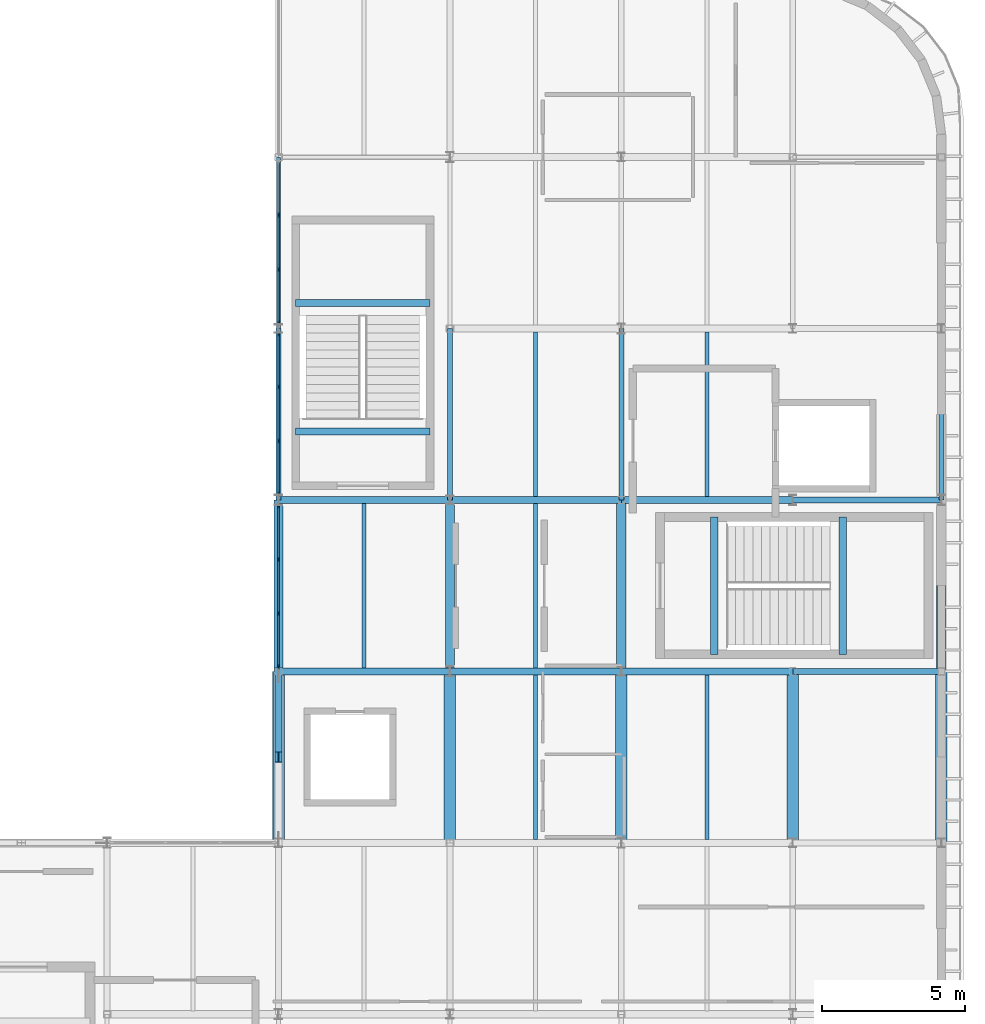
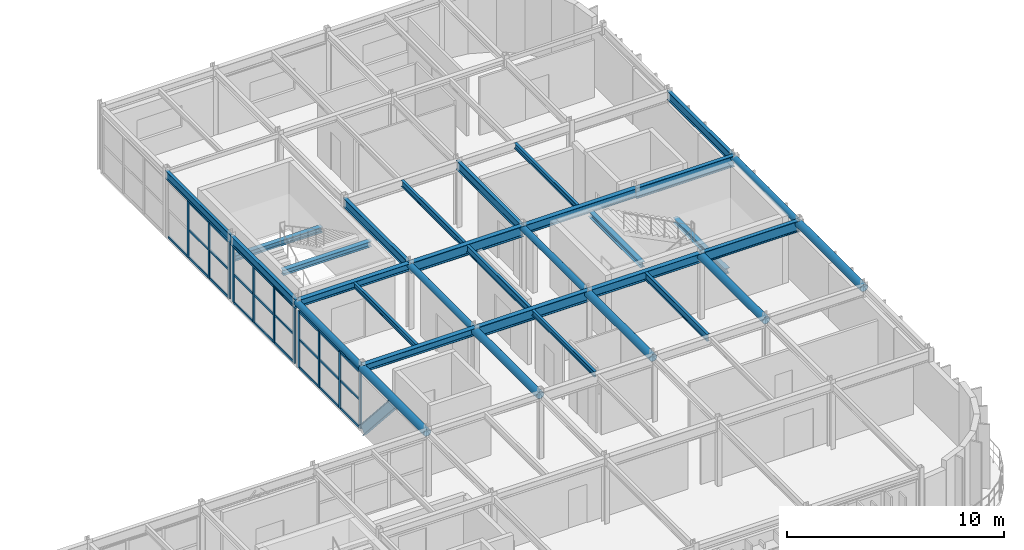
# One storey, part 41 of 63: 37 members, 32 beams, 3 elements without a shape of their own.
"""IFC4 building model written with IfcOpenShell, lengths in metres."""

from ifc_helpers import new_model, si_unit, direction, frame, origin, origin_2d, place, context, subcontext, project, spatial, rectangle, hollow_circle, i_section, extrude, material, material_profile, profile_set, type_object, element, aggregate, save


model = new_model("IFC4")

# Units and contexts
model_context = context("Model", 3, precision=1e-05, world=origin(), true_north=direction((0.0, 1.0)))
body_context = subcontext(model_context, "Body", "Model", "MODEL_VIEW")
ifc_project = project(units=[si_unit("LENGTHUNIT", "METRE"), si_unit("AREAUNIT", "SQUARE_METRE"), si_unit("VOLUMEUNIT", "CUBIC_METRE"), si_unit("PLANEANGLEUNIT", "RADIAN"), si_unit("MASSUNIT", "GRAM", prefix="KILO")], contexts=[model_context])

# Site, building, storey
site_placement = place(None, origin())
site = spatial("IfcSite", under=ifc_project, at=site_placement, CompositionType="ELEMENT")
building_placement = place(site_placement, origin())
building = spatial("IfcBuilding", under=site, at=building_placement, Name="Varnakota Square Police Headquarters", CompositionType="ELEMENT")
storey_placement = place(building_placement, frame((0.0, 0.0, 22.199951171875)))
storey = spatial("IfcBuildingStorey", under=building, at=storey_placement, Name="L05", CompositionType="ELEMENT", Elevation=22.199951171875)

# Beams
ifc_material_1 = material(Name="Steel IS 2062 Grade 350", Category="steel")
ifc_material_profile_1 = material_profile(ifc_material_1, hollow_circle(Radius=0.161865234375, WallThickness=0.0126953125, at=origin_2d()), Name="CHS 323.9x12.7")
ifc_profile_set_1 = profile_set([ifc_material_profile_1], Name="Steel IS 2062 Grade 350")
beam_type_1 = type_object("IfcBeamType", Name="BM-ARC-CHS324", PredefinedType="BEAM", material=ifc_profile_set_1)
for number, where, z_axis, x_axis, name in (
    (1, (138.0, 21.0, 3.528076171875), (0.0, 1.0, 0.0), (-1.0, 0.0, 0.0), "BMG-L05-3218"),
    (2, (144.0, 21.0, 3.528076171875), (0.0, 1.0, 0.0), (-1.0, 0.0, 0.0), "BMG-L05-3225"),
    (3, (150.0, 21.0, 3.528076171875), (0.0, 1.0, 0.0), (-1.0, 0.0, 0.0), "BMG-L05-3232"),
    (4, (161.199951171875, 21.0, 3.528076171875), (0.0, 1.0, 0.0), (-1.0, 0.0, 0.0), "BMG-L05-3243"),
):
    element("IfcBeam", number, at=place(storey_placement, frame(where, z_axis=z_axis, x_axis=x_axis)), inside=storey, type_object=beam_type_1, Name=name, PredefinedType="BEAM", context=body_context, shape_type="SweptSolid", body=[
        extrude(hollow_circle(Radius=0.161865234375, WallThickness=0.0126953125, at=origin_2d()), origin(), (0.0, 0.0, 1.0), 6.0),
    ])
ifc_material_profile_2 = material_profile(ifc_material_1, hollow_circle(Radius=0.203125, WallThickness=0.01611328125, at=origin_2d()), Name="CHS 406.4x16.0")
ifc_profile_set_2 = profile_set([ifc_material_profile_2], Name="Steel IS 2062 Grade 350")
beam_type_2 = type_object("IfcBeamType", Name="BM-ARC-CHS406", PredefinedType="BEAM", material=ifc_profile_set_2)
for number, where, z_axis, x_axis, name in (
    (5, (138.0, 15.0, 3.48681640625), (0.0, 1.0, 0.0), (-1.0, 0.0, 0.0), "BMG-L05-3217"),
    (6, (144.0, 15.0, 3.48681640625), (0.0, 1.0, 0.0), (-1.0, 0.0, 0.0), "BMG-L05-3224"),
    (7, (150.0, 15.0, 3.48681640625), (0.0, 1.0, 0.0), (-1.0, 0.0, 0.0), "BMG-L05-3231"),
    (8, (156.0, 15.0, 3.48681640625), (0.0, 1.0, 0.0), (-1.0, 0.0, 0.0), "BMG-L05-3238"),
    (9, (161.199951171875, 15.0, 3.48681640625), (0.0, 1.0, 0.0), (-1.0, 0.0, 0.0), "BMG-L05-3242"),
):
    element("IfcBeam", number, at=place(storey_placement, frame(where, z_axis=z_axis, x_axis=x_axis)), inside=storey, type_object=beam_type_2, Name=name, PredefinedType="BEAM", context=body_context, shape_type="SweptSolid", body=[
        extrude(hollow_circle(Radius=0.203125, WallThickness=0.01611328125, at=origin_2d()), origin(), (0.0, 0.0, 1.0), 6.0),
    ])
ifc_material_profile_3 = material_profile(ifc_material_1, i_section(OverallWidth=0.25, OverallDepth=0.300048828125, WebThickness=0.009521484375, FlangeThickness=0.010498046875, FilletRadius=0.011962890625, at=origin_2d()), Name="ISHB 300")
ifc_profile_set_3 = profile_set([ifc_material_profile_3], Name="Steel IS 2062 Grade 350")
beam_type_3 = type_object("IfcBeamType", Name="BM-ISHB300", PredefinedType="BEAM", material=ifc_profile_set_3)
for number, where, z_axis, x_axis, name in (
    (10, (157.75048828125, 21.60009765625, 1.634033203125), (0.0, 1.0, 0.0), (-1.0, 0.0, 0.0), "Stair landing support beam BM-LND-0027"),
    (11, (153.25, 21.60009765625, 3.570068359375), (0.0, 1.0, 0.0), (-1.0, 0.0, 0.0), "Stair landing support beam BM-LND-0028"),
):
    element("IfcBeam", number, at=place(storey_placement, frame(where, z_axis=z_axis, x_axis=x_axis)), inside=storey, type_object=beam_type_3, Name=name, PredefinedType="BEAM", context=body_context, shape_type="SweptSolid", body=[
        extrude(i_section(OverallWidth=0.25, OverallDepth=0.300048828125, WebThickness=0.009521484375, FlangeThickness=0.010498046875, FilletRadius=0.011962890625, at=origin_2d()), origin(), (0.0, 0.0, 1.0), 4.7998046875),
    ])
for number, where, z_axis, x_axis, name in (
    (12, (138.60009765625, 33.900634765625, 1.637939453125), (1.0, 0.0, 0.0), (0.0, 1.0, 0.0), "Stair landing support beam BM-LND-0042"),
    (13, (138.60009765625, 29.400146484375, 3.570068359375), (1.0, 0.0, 0.0), (0.0, 1.0, 0.0), "Stair landing support beam BM-LND-0043"),
):
    element("IfcBeam", number, at=place(storey_placement, frame(where, z_axis=z_axis, x_axis=x_axis)), inside=storey, type_object=beam_type_3, Name=name, PredefinedType="BEAM", context=body_context, shape_type="SweptSolid", body=[
        extrude(i_section(OverallWidth=0.25, OverallDepth=0.300048828125, WebThickness=0.009521484375, FlangeThickness=0.010498046875, FilletRadius=0.011962890625, at=origin_2d()), origin(), (0.0, 0.0, 1.0), 4.699951171875),
    ])
ifc_material_profile_4 = material_profile(ifc_material_1, i_section(OverallWidth=0.25, OverallDepth=0.39990234375, WebThickness=0.010498046875, FlangeThickness=0.0126953125, FilletRadius=0.013916015625, at=origin_2d()), Name="ISHB 400")
ifc_profile_set_4 = profile_set([ifc_material_profile_4], Name="Steel IS 2062 Grade 350")
beam_type_4 = type_object("IfcBeamType", Name="BM-ISHB400", PredefinedType="BEAM", material=ifc_profile_set_4)
for number, where, z_axis, x_axis, name in (
    (14, (138.0, 21.0, 3.489990234375), (1.0, 0.0, 0.0), (0.0, 1.0, 0.0), "BMG-L05-3103"),
    (15, (138.0, 27.0, 3.489990234375), (1.0, 0.0, 0.0), (0.0, 1.0, 0.0), "BMG-L05-3113"),
):
    element("IfcBeam", number, at=place(storey_placement, frame(where, z_axis=z_axis, x_axis=x_axis)), inside=storey, type_object=beam_type_4, Name=name, PredefinedType="BEAM", context=body_context, shape_type="SweptSolid", body=[
        extrude(i_section(OverallWidth=0.25, OverallDepth=0.39990234375, WebThickness=0.010498046875, FlangeThickness=0.0126953125, FilletRadius=0.013916015625, at=origin_2d()), origin(), (0.0, 0.0, 1.0), 6.0),
    ])
ifc_material_profile_5 = material_profile(ifc_material_1, i_section(OverallWidth=0.139892578125, OverallDepth=0.300048828125, WebThickness=0.0078125, FlangeThickness=0.01318359375, FilletRadius=0.013916015625, at=origin_2d()), Name="ISMB 300")
ifc_profile_set_5 = profile_set([ifc_material_profile_5], Name="Steel IS 2062 Grade 350")
beam_type_5 = type_object("IfcBeamType", Name="BM-ISMB300", PredefinedType="JOIST", material=ifc_profile_set_5)
for number, where, z_axis, x_axis, name in (
    (16, (141.0, 21.123046875, 3.5400390625), (0.0, 1.0, 0.0), (-1.0, 0.0, 0.0), "BMG-L05-3284"),
    (17, (147.0, 15.123046875, 3.5400390625), (0.0, 1.0, 0.0), (-1.0, 0.0, 0.0), "BMG-L05-3287"),
    (18, (153.0, 27.123046875, 3.5400390625), (0.0, 1.0, 0.0), (-1.0, 0.0, 0.0), "BMG-L05-3294"),
):
    element("IfcBeam", number, at=place(storey_placement, frame(where, z_axis=z_axis, x_axis=x_axis)), inside=storey, type_object=beam_type_5, Name=name, PredefinedType="JOIST", context=body_context, shape_type="SweptSolid", body=[
        extrude(i_section(OverallWidth=0.139892578125, OverallDepth=0.300048828125, WebThickness=0.0078125, FlangeThickness=0.01318359375, FilletRadius=0.013916015625, at=origin_2d()), origin(), (0.0, 0.0, 1.0), 5.75390625),
    ])
ifc_material_profile_6 = material_profile(ifc_material_1, i_section(OverallWidth=0.139892578125, OverallDepth=0.35009765625, WebThickness=0.008056640625, FlangeThickness=0.01416015625, FilletRadius=0.013916015625, at=origin_2d()), Name="ISMB 350")
ifc_profile_set_6 = profile_set([ifc_material_profile_6], Name="Steel IS 2062 Grade 350")
beam_type_6 = type_object("IfcBeamType", Name="BM-ISMB350", PredefinedType="JOIST", material=ifc_profile_set_6)
beam_1_placement = place(storey_placement, frame((147.0, 27.123046875, 3.51513671875), z_axis=(0.0, 1.0, 0.0), x_axis=(-1.0, 0.0, 0.0)))
element("IfcBeam", 19, at=beam_1_placement, inside=storey, type_object=beam_type_6, Name="BMG-L05-3289", PredefinedType="JOIST", context=body_context, shape_type="SweptSolid", body=[
    extrude(i_section(OverallWidth=0.139892578125, OverallDepth=0.35009765625, WebThickness=0.008056640625, FlangeThickness=0.01416015625, FilletRadius=0.013916015625, at=origin_2d()), origin(), (0.0, 0.0, 1.0), 5.75390625),
])
ifc_material_profile_7 = material_profile(ifc_material_1, i_section(OverallWidth=0.139892578125, OverallDepth=0.39990234375, WebThickness=0.0087890625, FlangeThickness=0.01611328125, FilletRadius=0.013916015625, at=origin_2d()), Name="ISMB 400")
ifc_profile_set_7 = profile_set([ifc_material_profile_7], Name="Steel IS 2062 Grade 350")
beam_type_7 = type_object("IfcBeamType", Name="BM-ISMB400", PredefinedType="JOIST", material=ifc_profile_set_7)
for number, where, z_axis, x_axis, name in (
    (20, (147.0, 21.123046875, 3.489990234375), (0.0, 1.0, 0.0), (-1.0, 0.0, 0.0), "BMG-L05-3288"),
    (21, (153.0, 15.123046875, 3.489990234375), (0.0, 1.0, 0.0), (-1.0, 0.0, 0.0), "BMG-L05-3293"),
):
    element("IfcBeam", number, at=place(storey_placement, frame(where, z_axis=z_axis, x_axis=x_axis)), inside=storey, type_object=beam_type_7, Name=name, PredefinedType="JOIST", context=body_context, shape_type="SweptSolid", body=[
        extrude(i_section(OverallWidth=0.139892578125, OverallDepth=0.39990234375, WebThickness=0.0087890625, FlangeThickness=0.01611328125, FilletRadius=0.013916015625, at=origin_2d()), origin(), (0.0, 0.0, 1.0), 5.75390625),
    ])
ifc_material_profile_8 = material_profile(ifc_material_1, i_section(OverallWidth=0.14990234375, OverallDepth=0.449951171875, WebThickness=0.009521484375, FlangeThickness=0.017333984375, FilletRadius=0.014892578125, at=origin_2d()), Name="ISMB 450")
ifc_profile_set_8 = profile_set([ifc_material_profile_8], Name="Steel IS 2062 Grade 350")
beam_type_8 = type_object("IfcBeamType", Name="BM-ISMB450", PredefinedType="BEAM", material=ifc_profile_set_8)
beam_2_placement = place(storey_placement, frame((138.0, 33.0, 3.465087890625), z_axis=(0.0, 1.0, 0.0), x_axis=(-1.0, 0.0, 0.0)))
element("IfcBeam", 22, at=beam_2_placement, inside=storey, type_object=beam_type_8, Name="BMG-L05-3220", PredefinedType="BEAM", context=body_context, shape_type="SweptSolid", body=[
    extrude(i_section(OverallWidth=0.14990234375, OverallDepth=0.449951171875, WebThickness=0.009521484375, FlangeThickness=0.017333984375, FilletRadius=0.014892578125, at=origin_2d()), origin(), (0.0, 0.0, 1.0), 6.0),
])
ifc_material_profile_9 = material_profile(ifc_material_1, i_section(OverallWidth=0.179931640625, OverallDepth=0.5, WebThickness=0.01025390625, FlangeThickness=0.01708984375, FilletRadius=0.01708984375, at=origin_2d()), Name="ISMB 500")
ifc_profile_set_9 = profile_set([ifc_material_profile_9], Name="Steel IS 2062 Grade 350")
beam_type_9 = type_object("IfcBeamType", Name="BM-ISMB500", PredefinedType="BEAM", material=ifc_profile_set_9)
for number, where, z_axis, x_axis, name in (
    (23, (138.0, 27.0, 3.43994140625), (0.0, 1.0, 0.0), (-1.0, 0.0, 0.0), "BMG-L05-3219"),
    (24, (144.0, 27.0, 3.43994140625), (0.0, 1.0, 0.0), (-1.0, 0.0, 0.0), "BMG-L05-3226"),
    (25, (150.0, 27.0, 3.43994140625), (0.0, 1.0, 0.0), (-1.0, 0.0, 0.0), "BMG-L05-3233"),
    (26, (161.199951171875, 27.0, 3.43994140625), (0.0, 1.0, 0.0), (-1.0, 0.0, 0.0), "BMG-L05-3244"),
):
    element("IfcBeam", number, at=place(storey_placement, frame(where, z_axis=z_axis, x_axis=x_axis)), inside=storey, type_object=beam_type_9, Name=name, PredefinedType="BEAM", context=body_context, shape_type="SweptSolid", body=[
        extrude(i_section(OverallWidth=0.179931640625, OverallDepth=0.5, WebThickness=0.01025390625, FlangeThickness=0.01708984375, FilletRadius=0.01708984375, at=origin_2d()), origin(), (0.0, 0.0, 1.0), 6.0),
    ])
ifc_material_profile_10 = material_profile(ifc_material_1, i_section(OverallWidth=0.2099609375, OverallDepth=0.60009765625, WebThickness=0.011962890625, FlangeThickness=0.020751953125, FilletRadius=0.02001953125, at=origin_2d()), Name="ISMB 600")
ifc_profile_set_10 = profile_set([ifc_material_profile_10], Name="Steel IS 2062 Grade 350")
beam_type_10 = type_object("IfcBeamType", Name="BM-ISMB600", PredefinedType="BEAM", material=ifc_profile_set_10)
for number, where, z_axis, x_axis, name in (
    (27, (156.0, 21.0, 3.39013671875), (1.0, 0.0, 0.0), (0.0, 1.0, 0.0), "BMG-L05-3106"),
    (28, (156.0, 27.0, 3.39013671875), (1.0, 0.0, 0.0), (0.0, 1.0, 0.0), "BMG-L05-3116"),
):
    element("IfcBeam", number, at=place(storey_placement, frame(where, z_axis=z_axis, x_axis=x_axis)), inside=storey, type_object=beam_type_10, Name=name, PredefinedType="BEAM", context=body_context, shape_type="SweptSolid", body=[
        extrude(i_section(OverallWidth=0.2099609375, OverallDepth=0.60009765625, WebThickness=0.011962890625, FlangeThickness=0.020751953125, FilletRadius=0.02001953125, at=origin_2d()), origin(), (0.0, 0.0, 1.0), 5.199951171875),
    ])
ifc_material_profile_11 = material_profile(ifc_material_1, i_section(OverallWidth=0.25, OverallDepth=0.5, WebThickness=0.010009765625, FlangeThickness=0.0146484375, FilletRadius=0.014892578125, at=origin_2d()), Name="ISWB 500")
ifc_profile_set_11 = profile_set([ifc_material_profile_11], Name="Steel IS 2062 Grade 350")
beam_type_11 = type_object("IfcBeamType", Name="BM-ISWB500", PredefinedType="BEAM", material=ifc_profile_set_11)
for number, where, z_axis, x_axis, name in (
    (29, (150.0, 21.0, 3.43994140625), (1.0, 0.0, 0.0), (0.0, 1.0, 0.0), "BMG-L05-3105"),
    (30, (150.0, 27.0, 3.43994140625), (1.0, 0.0, 0.0), (0.0, 1.0, 0.0), "BMG-L05-3115"),
):
    element("IfcBeam", number, at=place(storey_placement, frame(where, z_axis=z_axis, x_axis=x_axis)), inside=storey, type_object=beam_type_11, Name=name, PredefinedType="BEAM", context=body_context, shape_type="SweptSolid", body=[
        extrude(i_section(OverallWidth=0.25, OverallDepth=0.5, WebThickness=0.010009765625, FlangeThickness=0.0146484375, FilletRadius=0.014892578125, at=origin_2d()), origin(), (0.0, 0.0, 1.0), 6.0),
    ])
ifc_material_profile_12 = material_profile(ifc_material_1, i_section(OverallWidth=0.25, OverallDepth=0.60009765625, WebThickness=0.01171875, FlangeThickness=0.023681640625, FilletRadius=0.01708984375, at=origin_2d()), Name="ISWB 600")
ifc_profile_set_12 = profile_set([ifc_material_profile_12], Name="Steel IS 2062 Grade 350")
beam_type_12 = type_object("IfcBeamType", Name="BM-ISWB600", PredefinedType="BEAM", material=ifc_profile_set_12)
for number, where, z_axis, x_axis, name in (
    (31, (144.0, 21.0, 3.39013671875), (1.0, 0.0, 0.0), (0.0, 1.0, 0.0), "BMG-L05-3104"),
    (32, (144.0, 27.0, 3.39013671875), (1.0, 0.0, 0.0), (0.0, 1.0, 0.0), "BMG-L05-3114"),
):
    element("IfcBeam", number, at=place(storey_placement, frame(where, z_axis=z_axis, x_axis=x_axis)), inside=storey, type_object=beam_type_12, Name=name, PredefinedType="BEAM", context=body_context, shape_type="SweptSolid", body=[
        extrude(i_section(OverallWidth=0.25, OverallDepth=0.60009765625, WebThickness=0.01171875, FlangeThickness=0.023681640625, FilletRadius=0.01708984375, at=origin_2d()), origin(), (0.0, 0.0, 1.0), 6.0),
    ])

# Curtain wall, members
ifc_material_2 = material(Name="Anodised Aluminium Framing", Category="aluminium")
curtain_wall_type = type_object("IfcCurtainWallType", Name="CW-SYS-E", PredefinedType="NOTDEFINED", material=ifc_material_2)
curtain_wall_1_placement = place(storey_placement, origin())
curtain_wall_1 = element("IfcCurtainWall", 33, at=curtain_wall_1_placement, inside=storey, type_object=curtain_wall_type, Name="Unitised curtain wall CWG-L05-106", PredefinedType="NOTDEFINED")
ifc_material_3 = material(Name="Anodised Aluminium 6063-T6", Category="aluminium")
ifc_material_profile_13 = material_profile(ifc_material_3, rectangle(XDim=0.06494140625, YDim=0.159912109375, at=origin_2d()), Name="ALU MULLION 65x160")
ifc_profile_set_13 = profile_set([ifc_material_profile_13], Name="Anodised Aluminium 6063-T6")
member_type_1 = type_object("IfcMemberType", Name="CWM-150", PredefinedType="MULLION", material=ifc_profile_set_13)
member_1_placement = place(storey_placement, frame((138.0, 21.16259765625, 0.0), z_axis=(0.0, 0.0, 1.0), x_axis=(-1.0, 0.0, 0.0)))
member_1 = element("IfcMember", 34, at=member_1_placement, type_object=member_type_1, Name="CWG-L05-106 mullion 1", PredefinedType="MULLION", context=body_context, shape_type="SweptSolid", body=[
    extrude(rectangle(XDim=0.06494140625, YDim=0.159912109375, at=origin_2d()), origin(), (0.0, 0.0, 1.0), 3.179931640625),
])
member_2_placement = place(storey_placement, frame((138.0, 23.026611328125, 0.0), z_axis=(0.0, 0.0, 1.0), x_axis=(-1.0, 0.0, 0.0)))
member_2 = element("IfcMember", 35, at=member_2_placement, type_object=member_type_1, Name="CWG-L05-106 mullion 2", PredefinedType="MULLION", context=body_context, shape_type="SweptSolid", body=[
    extrude(rectangle(XDim=0.06494140625, YDim=0.159912109375, at=origin_2d()), origin(), (0.0, 0.0, 1.0), 3.179931640625),
])
member_3_placement = place(storey_placement, frame((138.0, 24.92333984375, 0.0), z_axis=(0.0, 0.0, 1.0), x_axis=(-1.0, 0.0, 0.0)))
member_3 = element("IfcMember", 36, at=member_3_placement, type_object=member_type_1, Name="CWG-L05-106 mullion 3", PredefinedType="MULLION", context=body_context, shape_type="SweptSolid", body=[
    extrude(rectangle(XDim=0.06494140625, YDim=0.159912109375, at=origin_2d()), origin(), (0.0, 0.0, 1.0), 3.179931640625),
])
member_4_placement = place(storey_placement, frame((138.0, 26.78759765625, 0.0), z_axis=(0.0, 0.0, 1.0), x_axis=(-1.0, 0.0, 0.0)))
member_4 = element("IfcMember", 37, at=member_4_placement, type_object=member_type_1, Name="CWG-L05-106 mullion 4", PredefinedType="MULLION", context=body_context, shape_type="SweptSolid", body=[
    extrude(rectangle(XDim=0.06494140625, YDim=0.159912109375, at=origin_2d()), origin(), (0.0, 0.0, 1.0), 3.179931640625),
])

curtain_wall_2_placement = place(storey_placement, origin())
curtain_wall_2 = element("IfcCurtainWall", 38, at=curtain_wall_2_placement, inside=storey, type_object=curtain_wall_type, Name="Unitised curtain wall CWG-L05-107", PredefinedType="NOTDEFINED")
member_5_placement = place(storey_placement, frame((138.0, 27.21240234375, 0.0), z_axis=(0.0, 0.0, 1.0), x_axis=(-1.0, 0.0, 0.0)))
member_5 = element("IfcMember", 39, at=member_5_placement, type_object=member_type_1, Name="CWG-L05-107 mullion 1", PredefinedType="MULLION", context=body_context, shape_type="SweptSolid", body=[
    extrude(rectangle(XDim=0.06494140625, YDim=0.159912109375, at=origin_2d()), origin(), (0.0, 0.0, 1.0), 3.179931640625),
])
member_6_placement = place(storey_placement, frame((138.0, 29.068359375, 0.0), z_axis=(0.0, 0.0, 1.0), x_axis=(-1.0, 0.0, 0.0)))
member_6 = element("IfcMember", 40, at=member_6_placement, type_object=member_type_1, Name="CWG-L05-107 mullion 2", PredefinedType="MULLION", context=body_context, shape_type="SweptSolid", body=[
    extrude(rectangle(XDim=0.06494140625, YDim=0.159912109375, at=origin_2d()), origin(), (0.0, 0.0, 1.0), 3.179931640625),
])
member_7_placement = place(storey_placement, frame((138.0, 30.956787109375, 0.0), z_axis=(0.0, 0.0, 1.0), x_axis=(-1.0, 0.0, 0.0)))
member_7 = element("IfcMember", 41, at=member_7_placement, type_object=member_type_1, Name="CWG-L05-107 mullion 3", PredefinedType="MULLION", context=body_context, shape_type="SweptSolid", body=[
    extrude(rectangle(XDim=0.06494140625, YDim=0.159912109375, at=origin_2d()), origin(), (0.0, 0.0, 1.0), 3.179931640625),
])
member_8_placement = place(storey_placement, frame((138.0, 32.8125, 0.0), z_axis=(0.0, 0.0, 1.0), x_axis=(-1.0, 0.0, 0.0)))
member_8 = element("IfcMember", 42, at=member_8_placement, type_object=member_type_1, Name="CWG-L05-107 mullion 4", PredefinedType="MULLION", context=body_context, shape_type="SweptSolid", body=[
    extrude(rectangle(XDim=0.06494140625, YDim=0.159912109375, at=origin_2d()), origin(), (0.0, 0.0, 1.0), 3.179931640625),
])

curtain_wall_3_placement = place(storey_placement, origin())
curtain_wall_3 = element("IfcCurtainWall", 43, at=curtain_wall_3_placement, inside=storey, type_object=curtain_wall_type, Name="Unitised curtain wall CWG-L05-108", PredefinedType="NOTDEFINED")
member_9_placement = place(storey_placement, frame((138.0, 33.1875, 0.0), z_axis=(0.0, 0.0, 1.0), x_axis=(-1.0, 0.0, 0.0)))
member_9 = element("IfcMember", 44, at=member_9_placement, type_object=member_type_1, Name="CWG-L05-108 mullion 1", PredefinedType="MULLION", context=body_context, shape_type="SweptSolid", body=[
    extrude(rectangle(XDim=0.06494140625, YDim=0.159912109375, at=origin_2d()), origin(), (0.0, 0.0, 1.0), 3.179931640625),
])
member_10_placement = place(storey_placement, frame((138.0, 35.06005859375, 0.0), z_axis=(0.0, 0.0, 1.0), x_axis=(-1.0, 0.0, 0.0)))
member_10 = element("IfcMember", 45, at=member_10_placement, type_object=member_type_1, Name="CWG-L05-108 mullion 2", PredefinedType="MULLION", context=body_context, shape_type="SweptSolid", body=[
    extrude(rectangle(XDim=0.06494140625, YDim=0.159912109375, at=origin_2d()), origin(), (0.0, 0.0, 1.0), 3.179931640625),
])
member_11_placement = place(storey_placement, frame((138.0, 36.965087890625, 0.0), z_axis=(0.0, 0.0, 1.0), x_axis=(-1.0, 0.0, 0.0)))
member_11 = element("IfcMember", 46, at=member_11_placement, type_object=member_type_1, Name="CWG-L05-108 mullion 3", PredefinedType="MULLION", context=body_context, shape_type="SweptSolid", body=[
    extrude(rectangle(XDim=0.06494140625, YDim=0.159912109375, at=origin_2d()), origin(), (0.0, 0.0, 1.0), 3.179931640625),
])

# Member
ifc_material_profile_14 = material_profile(ifc_material_3, rectangle(XDim=0.06494140625, YDim=0.1298828125, at=origin_2d()), Name="ALU TRANSOM 65x130")
ifc_profile_set_14 = profile_set([ifc_material_profile_14], Name="Anodised Aluminium 6063-T6")
member_type_2 = type_object("IfcMemberType", Name="CWT-120", PredefinedType="USERDEFINED", material=ifc_profile_set_14)
member_12_placement = place(storey_placement, frame((138.0, 21.195068359375, 0.032470703125), z_axis=(0.0, 1.0, 0.0), x_axis=(-1.0, 0.0, 0.0)))
member_12 = element("IfcMember", 47, at=member_12_placement, type_object=member_type_2, Name="CWG-L05-106 transom 1.1", ObjectType="TRANSOM", PredefinedType="USERDEFINED", context=body_context, shape_type="SweptSolid", body=[
    extrude(rectangle(XDim=0.06494140625, YDim=0.1298828125, at=origin_2d()), origin(), (0.0, 0.0, 1.0), 1.799072265625),
])

member_13_placement = place(storey_placement, frame((138.0, 21.195068359375, 1.590087890625), z_axis=(0.0, 1.0, 0.0), x_axis=(-1.0, 0.0, 0.0)))
member_13 = element("IfcMember", 48, at=member_13_placement, type_object=member_type_2, Name="CWG-L05-106 transom 1.2", ObjectType="TRANSOM", PredefinedType="USERDEFINED", context=body_context, shape_type="SweptSolid", body=[
    extrude(rectangle(XDim=0.06494140625, YDim=0.1298828125, at=origin_2d()), origin(), (0.0, 0.0, 1.0), 1.799072265625),
])

member_14_placement = place(storey_placement, frame((138.0, 21.195068359375, 3.1474609375), z_axis=(0.0, 1.0, 0.0), x_axis=(-1.0, 0.0, 0.0)))
member_14 = element("IfcMember", 49, at=member_14_placement, type_object=member_type_2, Name="CWG-L05-106 transom 1.3", ObjectType="TRANSOM", PredefinedType="USERDEFINED", context=body_context, shape_type="SweptSolid", body=[
    extrude(rectangle(XDim=0.06494140625, YDim=0.1298828125, at=origin_2d()), origin(), (0.0, 0.0, 1.0), 1.799072265625),
])

member_15_placement = place(storey_placement, frame((138.0, 23.05908203125, 0.032470703125), z_axis=(0.0, 1.0, 0.0), x_axis=(-1.0, 0.0, 0.0)))
member_15 = element("IfcMember", 50, at=member_15_placement, type_object=member_type_2, Name="CWG-L05-106 transom 2.1", ObjectType="TRANSOM", PredefinedType="USERDEFINED", context=body_context, shape_type="SweptSolid", body=[
    extrude(rectangle(XDim=0.06494140625, YDim=0.1298828125, at=origin_2d()), origin(), (0.0, 0.0, 1.0), 1.831787109375),
])

member_16_placement = place(storey_placement, frame((138.0, 23.05908203125, 1.590087890625), z_axis=(0.0, 1.0, 0.0), x_axis=(-1.0, 0.0, 0.0)))
member_16 = element("IfcMember", 51, at=member_16_placement, type_object=member_type_2, Name="CWG-L05-106 transom 2.2", ObjectType="TRANSOM", PredefinedType="USERDEFINED", context=body_context, shape_type="SweptSolid", body=[
    extrude(rectangle(XDim=0.06494140625, YDim=0.1298828125, at=origin_2d()), origin(), (0.0, 0.0, 1.0), 1.831787109375),
])

member_17_placement = place(storey_placement, frame((138.0, 23.05908203125, 3.1474609375), z_axis=(0.0, 1.0, 0.0), x_axis=(-1.0, 0.0, 0.0)))
member_17 = element("IfcMember", 52, at=member_17_placement, type_object=member_type_2, Name="CWG-L05-106 transom 2.3", ObjectType="TRANSOM", PredefinedType="USERDEFINED", context=body_context, shape_type="SweptSolid", body=[
    extrude(rectangle(XDim=0.06494140625, YDim=0.1298828125, at=origin_2d()), origin(), (0.0, 0.0, 1.0), 1.831787109375),
])

member_18_placement = place(storey_placement, frame((138.0, 24.955810546875, 0.032470703125), z_axis=(0.0, 1.0, 0.0), x_axis=(-1.0, 0.0, 0.0)))
member_18 = element("IfcMember", 53, at=member_18_placement, type_object=member_type_2, Name="CWG-L05-106 transom 3.1", ObjectType="TRANSOM", PredefinedType="USERDEFINED", context=body_context, shape_type="SweptSolid", body=[
    extrude(rectangle(XDim=0.06494140625, YDim=0.1298828125, at=origin_2d()), origin(), (0.0, 0.0, 1.0), 1.799072265625),
])

member_19_placement = place(storey_placement, frame((138.0, 24.955810546875, 1.590087890625), z_axis=(0.0, 1.0, 0.0), x_axis=(-1.0, 0.0, 0.0)))
member_19 = element("IfcMember", 54, at=member_19_placement, type_object=member_type_2, Name="CWG-L05-106 transom 3.2", ObjectType="TRANSOM", PredefinedType="USERDEFINED", context=body_context, shape_type="SweptSolid", body=[
    extrude(rectangle(XDim=0.06494140625, YDim=0.1298828125, at=origin_2d()), origin(), (0.0, 0.0, 1.0), 1.799072265625),
])

member_20_placement = place(storey_placement, frame((138.0, 24.955810546875, 3.1474609375), z_axis=(0.0, 1.0, 0.0), x_axis=(-1.0, 0.0, 0.0)))
member_20 = element("IfcMember", 55, at=member_20_placement, type_object=member_type_2, Name="CWG-L05-106 transom 3.3", ObjectType="TRANSOM", PredefinedType="USERDEFINED", context=body_context, shape_type="SweptSolid", body=[
    extrude(rectangle(XDim=0.06494140625, YDim=0.1298828125, at=origin_2d()), origin(), (0.0, 0.0, 1.0), 1.799072265625),
])

aggregate(curtain_wall_1, [member_1, member_2, member_3, member_4, member_12, member_13, member_14, member_15, member_16, member_17, member_18, member_19, member_20])

member_21_placement = place(storey_placement, frame((138.0, 27.2451171875, 0.032470703125), z_axis=(0.0, 1.0, 0.0), x_axis=(-1.0, 0.0, 0.0)))
member_21 = element("IfcMember", 56, at=member_21_placement, type_object=member_type_2, Name="CWG-L05-107 transom 1.1", ObjectType="TRANSOM", PredefinedType="USERDEFINED", context=body_context, shape_type="SweptSolid", body=[
    extrude(rectangle(XDim=0.06494140625, YDim=0.1298828125, at=origin_2d()), origin(), (0.0, 0.0, 1.0), 1.790771484375),
])

member_22_placement = place(storey_placement, frame((138.0, 27.2451171875, 1.590087890625), z_axis=(0.0, 1.0, 0.0), x_axis=(-1.0, 0.0, 0.0)))
member_22 = element("IfcMember", 57, at=member_22_placement, type_object=member_type_2, Name="CWG-L05-107 transom 1.2", ObjectType="TRANSOM", PredefinedType="USERDEFINED", context=body_context, shape_type="SweptSolid", body=[
    extrude(rectangle(XDim=0.06494140625, YDim=0.1298828125, at=origin_2d()), origin(), (0.0, 0.0, 1.0), 1.790771484375),
])

member_23_placement = place(storey_placement, frame((138.0, 27.2451171875, 3.1474609375), z_axis=(0.0, 1.0, 0.0), x_axis=(-1.0, 0.0, 0.0)))
member_23 = element("IfcMember", 58, at=member_23_placement, type_object=member_type_2, Name="CWG-L05-107 transom 1.3", ObjectType="TRANSOM", PredefinedType="USERDEFINED", context=body_context, shape_type="SweptSolid", body=[
    extrude(rectangle(XDim=0.06494140625, YDim=0.1298828125, at=origin_2d()), origin(), (0.0, 0.0, 1.0), 1.790771484375),
])

member_24_placement = place(storey_placement, frame((138.0, 29.100830078125, 0.032470703125), z_axis=(0.0, 1.0, 0.0), x_axis=(-1.0, 0.0, 0.0)))
member_24 = element("IfcMember", 59, at=member_24_placement, type_object=member_type_2, Name="CWG-L05-107 transom 2.1", ObjectType="TRANSOM", PredefinedType="USERDEFINED", context=body_context, shape_type="SweptSolid", body=[
    extrude(rectangle(XDim=0.06494140625, YDim=0.1298828125, at=origin_2d()), origin(), (0.0, 0.0, 1.0), 1.8232421875),
])

member_25_placement = place(storey_placement, frame((138.0, 29.100830078125, 1.590087890625), z_axis=(0.0, 1.0, 0.0), x_axis=(-1.0, 0.0, 0.0)))
member_25 = element("IfcMember", 60, at=member_25_placement, type_object=member_type_2, Name="CWG-L05-107 transom 2.2", ObjectType="TRANSOM", PredefinedType="USERDEFINED", context=body_context, shape_type="SweptSolid", body=[
    extrude(rectangle(XDim=0.06494140625, YDim=0.1298828125, at=origin_2d()), origin(), (0.0, 0.0, 1.0), 1.8232421875),
])

member_26_placement = place(storey_placement, frame((138.0, 29.100830078125, 3.1474609375), z_axis=(0.0, 1.0, 0.0), x_axis=(-1.0, 0.0, 0.0)))
member_26 = element("IfcMember", 61, at=member_26_placement, type_object=member_type_2, Name="CWG-L05-107 transom 2.3", ObjectType="TRANSOM", PredefinedType="USERDEFINED", context=body_context, shape_type="SweptSolid", body=[
    extrude(rectangle(XDim=0.06494140625, YDim=0.1298828125, at=origin_2d()), origin(), (0.0, 0.0, 1.0), 1.8232421875),
])

member_27_placement = place(storey_placement, frame((138.0, 30.9892578125, 0.032470703125), z_axis=(0.0, 1.0, 0.0), x_axis=(-1.0, 0.0, 0.0)))
member_27 = element("IfcMember", 62, at=member_27_placement, type_object=member_type_2, Name="CWG-L05-107 transom 3.1", ObjectType="TRANSOM", PredefinedType="USERDEFINED", context=body_context, shape_type="SweptSolid", body=[
    extrude(rectangle(XDim=0.06494140625, YDim=0.1298828125, at=origin_2d()), origin(), (0.0, 0.0, 1.0), 1.790771484375),
])

member_28_placement = place(storey_placement, frame((138.0, 30.9892578125, 1.590087890625), z_axis=(0.0, 1.0, 0.0), x_axis=(-1.0, 0.0, 0.0)))
member_28 = element("IfcMember", 63, at=member_28_placement, type_object=member_type_2, Name="CWG-L05-107 transom 3.2", ObjectType="TRANSOM", PredefinedType="USERDEFINED", context=body_context, shape_type="SweptSolid", body=[
    extrude(rectangle(XDim=0.06494140625, YDim=0.1298828125, at=origin_2d()), origin(), (0.0, 0.0, 1.0), 1.790771484375),
])

member_29_placement = place(storey_placement, frame((138.0, 30.9892578125, 3.1474609375), z_axis=(0.0, 1.0, 0.0), x_axis=(-1.0, 0.0, 0.0)))
member_29 = element("IfcMember", 64, at=member_29_placement, type_object=member_type_2, Name="CWG-L05-107 transom 3.3", ObjectType="TRANSOM", PredefinedType="USERDEFINED", context=body_context, shape_type="SweptSolid", body=[
    extrude(rectangle(XDim=0.06494140625, YDim=0.1298828125, at=origin_2d()), origin(), (0.0, 0.0, 1.0), 1.790771484375),
])

aggregate(curtain_wall_2, [member_5, member_6, member_7, member_8, member_21, member_22, member_23, member_24, member_25, member_26, member_27, member_28, member_29])

member_30_placement = place(storey_placement, frame((138.0, 33.219970703125, 0.032470703125), z_axis=(0.0, 1.0, 0.0), x_axis=(-1.0, 0.0, 0.0)))
member_30 = element("IfcMember", 65, at=member_30_placement, type_object=member_type_2, Name="CWG-L05-108 transom 1.1", ObjectType="TRANSOM", PredefinedType="USERDEFINED", context=body_context, shape_type="SweptSolid", body=[
    extrude(rectangle(XDim=0.06494140625, YDim=0.1298828125, at=origin_2d()), origin(), (0.0, 0.0, 1.0), 1.8076171875),
])

member_31_placement = place(storey_placement, frame((138.0, 33.219970703125, 1.590087890625), z_axis=(0.0, 1.0, 0.0), x_axis=(-1.0, 0.0, 0.0)))
member_31 = element("IfcMember", 66, at=member_31_placement, type_object=member_type_2, Name="CWG-L05-108 transom 1.2", ObjectType="TRANSOM", PredefinedType="USERDEFINED", context=body_context, shape_type="SweptSolid", body=[
    extrude(rectangle(XDim=0.06494140625, YDim=0.1298828125, at=origin_2d()), origin(), (0.0, 0.0, 1.0), 1.8076171875),
])

member_32_placement = place(storey_placement, frame((138.0, 33.219970703125, 3.1474609375), z_axis=(0.0, 1.0, 0.0), x_axis=(-1.0, 0.0, 0.0)))
member_32 = element("IfcMember", 67, at=member_32_placement, type_object=member_type_2, Name="CWG-L05-108 transom 1.3", ObjectType="TRANSOM", PredefinedType="USERDEFINED", context=body_context, shape_type="SweptSolid", body=[
    extrude(rectangle(XDim=0.06494140625, YDim=0.1298828125, at=origin_2d()), origin(), (0.0, 0.0, 1.0), 1.8076171875),
])

member_33_placement = place(storey_placement, frame((138.0, 35.092529296875, 0.032470703125), z_axis=(0.0, 1.0, 0.0), x_axis=(-1.0, 0.0, 0.0)))
member_33 = element("IfcMember", 68, at=member_33_placement, type_object=member_type_2, Name="CWG-L05-108 transom 2.1", ObjectType="TRANSOM", PredefinedType="USERDEFINED", context=body_context, shape_type="SweptSolid", body=[
    extrude(rectangle(XDim=0.06494140625, YDim=0.1298828125, at=origin_2d()), origin(), (0.0, 0.0, 1.0), 1.840087890625),
])

member_34_placement = place(storey_placement, frame((138.0, 35.092529296875, 1.590087890625), z_axis=(0.0, 1.0, 0.0), x_axis=(-1.0, 0.0, 0.0)))
member_34 = element("IfcMember", 69, at=member_34_placement, type_object=member_type_2, Name="CWG-L05-108 transom 2.2", ObjectType="TRANSOM", PredefinedType="USERDEFINED", context=body_context, shape_type="SweptSolid", body=[
    extrude(rectangle(XDim=0.06494140625, YDim=0.1298828125, at=origin_2d()), origin(), (0.0, 0.0, 1.0), 1.840087890625),
])

member_35_placement = place(storey_placement, frame((138.0, 35.092529296875, 3.1474609375), z_axis=(0.0, 1.0, 0.0), x_axis=(-1.0, 0.0, 0.0)))
member_35 = element("IfcMember", 70, at=member_35_placement, type_object=member_type_2, Name="CWG-L05-108 transom 2.3", ObjectType="TRANSOM", PredefinedType="USERDEFINED", context=body_context, shape_type="SweptSolid", body=[
    extrude(rectangle(XDim=0.06494140625, YDim=0.1298828125, at=origin_2d()), origin(), (0.0, 0.0, 1.0), 1.840087890625),
])

member_36_placement = place(storey_placement, frame((138.0, 36.99755859375, 0.032470703125), z_axis=(0.0, 1.0, 0.0), x_axis=(-1.0, 0.0, 0.0)))
member_36 = element("IfcMember", 71, at=member_36_placement, type_object=member_type_2, Name="CWG-L05-108 transom 3.1", ObjectType="TRANSOM", PredefinedType="USERDEFINED", context=body_context, shape_type="SweptSolid", body=[
    extrude(rectangle(XDim=0.06494140625, YDim=0.1298828125, at=origin_2d()), origin(), (0.0, 0.0, 1.0), 1.807373046875),
])

aggregate(curtain_wall_3, [member_9, member_10, member_11, member_30, member_31, member_32, member_33, member_34, member_35, member_36])

ifc_material_profile_15 = material_profile(ifc_material_1, i_section(OverallWidth=0.25, OverallDepth=0.5, WebThickness=0.010009765625, FlangeThickness=0.0146484375, FilletRadius=0.014892578125, at=origin_2d()), Name="ISWB 500")
ifc_profile_set_15 = profile_set([ifc_material_profile_15], Name="Steel IS 2062 Grade 350")
member_type_3 = type_object("IfcMemberType", Name="MEM-BR-ISWB500", PredefinedType="BRACE", material=ifc_profile_set_15)
member_37_placement = place(storey_placement, frame((138.0, 20.949951171875, 0.02001953125), z_axis=(0.0, -0.663092355777, 0.748537592717), x_axis=(1.0, 0.0, 0.0)))
element("IfcMember", 72, at=member_37_placement, inside=storey, type_object=member_type_3, Name="Lateral brace BF2 L05 right", PredefinedType="BRACE", context=body_context, shape_type="SweptSolid", body=[
    extrude(i_section(OverallWidth=0.25, OverallDepth=0.5, WebThickness=0.010009765625, FlangeThickness=0.0146484375, FilletRadius=0.014892578125, at=origin_2d()), origin(), (0.0, 0.0, 1.0), 4.44873046875),
])

save(model, "model.ifc")
